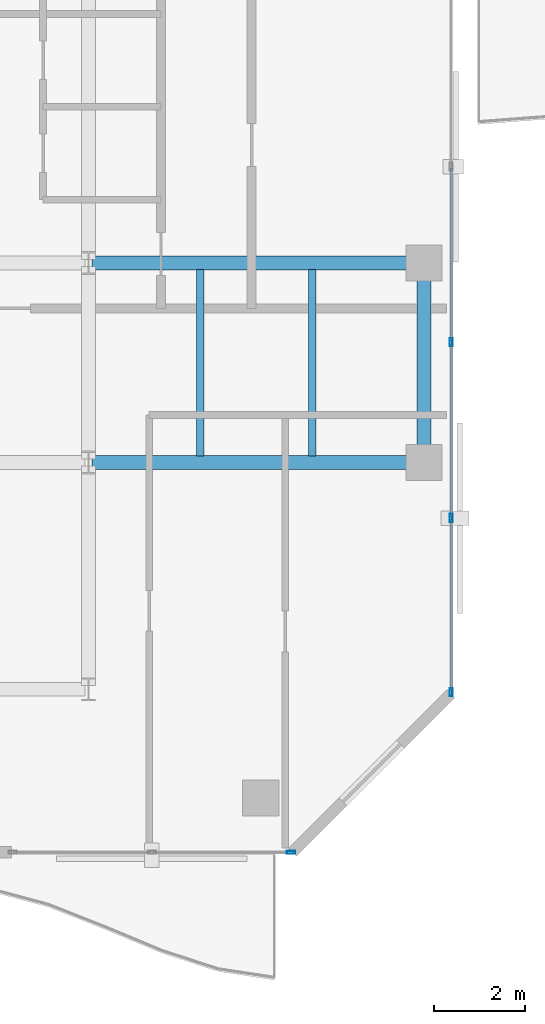
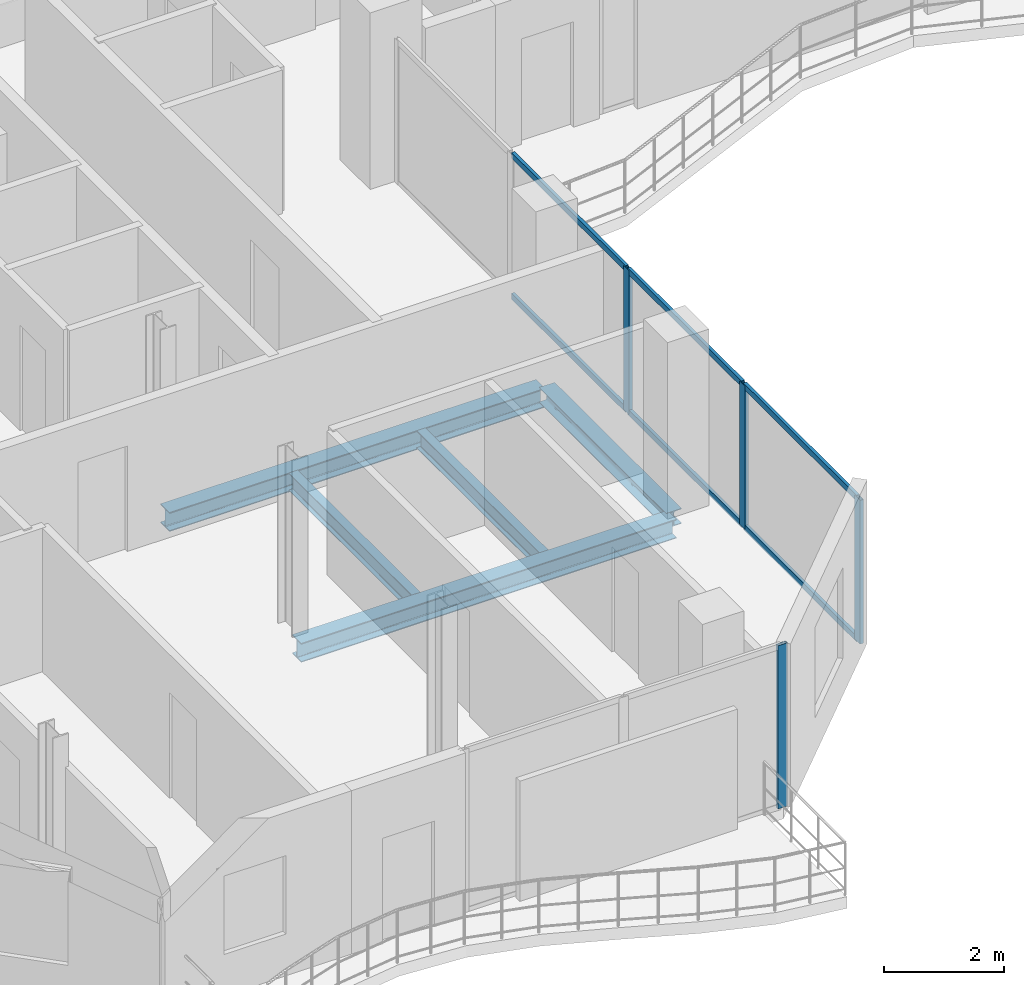
# One storey, part 6 of 24: 10 members, 5 beams, 2 elements without a shape of their own.
"""IFC4 building model written with IfcOpenShell, lengths in metres."""

from ifc_helpers import new_model, si_unit, direction, frame, origin, origin_2d, place, context, subcontext, project, spatial, hollow_rectangle, i_section, extrude, material, layer, layer_set, material_profile, profile_set, type_object, element, aggregate, save


model = new_model("IFC4")

# Units and contexts
model_context = context("Model", 3, precision=1e-05, world=origin(), true_north=direction((0.0, 1.0)))
body_context = subcontext(model_context, "Body", "Model", "MODEL_VIEW")
ifc_project = project(units=[si_unit("LENGTHUNIT", "METRE"), si_unit("AREAUNIT", "SQUARE_METRE"), si_unit("VOLUMEUNIT", "CUBIC_METRE"), si_unit("PLANEANGLEUNIT", "RADIAN"), si_unit("MASSUNIT", "GRAM", prefix="KILO")], contexts=[model_context])

# Site, building, storey
site_placement = place(None, origin())
site = spatial("IfcSite", under=ifc_project, at=site_placement, CompositionType="ELEMENT")
building_placement = place(site_placement, origin())
building = spatial("IfcBuilding", under=site, at=building_placement, Name="Catumbela Crestline Tower", CompositionType="ELEMENT")
storey_placement = place(building_placement, frame((0.0, 0.0, 161.4)))
storey = spatial("IfcBuildingStorey", under=building, at=storey_placement, Name="L41", CompositionType="ELEMENT", Elevation=161.4)

# Beams
ifc_material_1 = material(Name="Structural steel S355J2", Category="steel")
ifc_material_profile_1 = material_profile(ifc_material_1, i_section(OverallWidth=0.3, OverallDepth=0.39, WebThickness=0.011, FlangeThickness=0.019, FilletRadius=0.027, at=origin_2d()), Name="HEA 400")
ifc_profile_set_1 = profile_set([ifc_material_profile_1], Name="Structural steel S355J2")
beam_type_1 = type_object("IfcBeamType", Name="BG-HEA400", PredefinedType="BEAM", material=ifc_profile_set_1)
for number, where, z_axis, x_axis, name in (
    (1, (16.08, 13.6, -0.455), (1.0, 0.0, 0.0), (0.0, 1.0, 0.0), "L41 Beam BM-L41-WEW34"),
    (2, (16.08, 18.0, -0.455), (1.0, 0.0, 0.0), (0.0, 1.0, 0.0), "L41 Beam BM-L41-WEW36"),
):
    element("IfcBeam", number, at=place(storey_placement, frame(where, z_axis=z_axis, x_axis=x_axis)), inside=storey, type_object=beam_type_1, Name=name, PredefinedType="BEAM", context=body_context, shape_type="SweptSolid", body=[
        extrude(i_section(OverallWidth=0.3, OverallDepth=0.39, WebThickness=0.011, FlangeThickness=0.019, FilletRadius=0.027, at=origin_2d()), origin(), (0.0, 0.0, 1.0), 7.24),
    ])
ifc_material_profile_2 = material_profile(ifc_material_1, i_section(OverallWidth=0.17, OverallDepth=0.36, WebThickness=0.008, FlangeThickness=0.0127, FilletRadius=0.018, at=origin_2d()), Name="IPE 360")
ifc_profile_set_2 = profile_set([ifc_material_profile_2], Name="Structural steel S355J2")
beam_type_2 = type_object("IfcBeamType", Name="BJ-IPE360", PredefinedType="JOIST", material=ifc_profile_set_2)
for number, where, z_axis, x_axis, name in (
    (3, (18.467, 13.747, -0.44), (0.0, 1.0, 0.0), (-1.0, 0.0, 0.0), "L41 Joist JS-L41-WG48"),
    (4, (20.933, 13.747, -0.44), (0.0, 1.0, 0.0), (-1.0, 0.0, 0.0), "L41 Joist JS-L41-WG49"),
):
    element("IfcBeam", number, at=place(storey_placement, frame(where, z_axis=z_axis, x_axis=x_axis)), inside=storey, type_object=beam_type_2, Name=name, PredefinedType="JOIST", context=body_context, shape_type="SweptSolid", body=[
        extrude(i_section(OverallWidth=0.17, OverallDepth=0.36, WebThickness=0.008, FlangeThickness=0.0127, FilletRadius=0.018, at=origin_2d()), origin(), (0.0, 0.0, 1.0), 4.106),
    ])

# Curtain wall, member
ifc_material_2 = material(Name="Aluminium alloy AW-6060-T66", Category="aluminium")
ifc_layer = layer(ifc_material_2, 0.18, Name="Aluminium alloy AW-6060-T66")
ifc_layer_set = layer_set([ifc_layer], Name="Aluminium alloy AW-6060-T66")
curtain_wall_type = type_object("IfcCurtainWallType", Name="CWU-Z3", PredefinedType="USERDEFINED", material=ifc_layer_set)
curtain_wall_1_placement = place(storey_placement, origin())
curtain_wall_1 = element("IfcCurtainWall", 5, at=curtain_wall_1_placement, inside=storey, type_object=curtain_wall_type, Name="L41 Unitised Curtain Wall CW-L41-E0S2", ObjectType="UNITISED", PredefinedType="USERDEFINED")
ifc_material_profile_3 = material_profile(ifc_material_2, hollow_rectangle(XDim=0.065, YDim=0.18, WallThickness=0.004, at=origin_2d()), Name="ALU 180x65x4")
ifc_profile_set_3 = profile_set([ifc_material_profile_3], Name="Aluminium alloy AW-6060-T66")
member_type_1 = type_object("IfcMemberType", Name="MUL-180X65", PredefinedType="MULLION", material=ifc_profile_set_3)
member_1_placement = place(storey_placement, frame((20.4675, 5.0, 0.0), z_axis=(0.0, 0.0, 1.0), x_axis=(0.0, 1.0, 0.0)))
member_1 = element("IfcMember", 6, at=member_1_placement, type_object=member_type_1, Name="CWU-Z3 mullion 3", PredefinedType="MULLION", context=body_context, shape_type="SweptSolid", body=[
    extrude(hollow_rectangle(XDim=0.065, YDim=0.18, WallThickness=0.004, at=origin_2d()), origin(), (0.0, 0.0, 1.0), 3.33),
])
aggregate(curtain_wall_1, [member_1])

# Curtain wall, members
curtain_wall_2_placement = place(storey_placement, origin())
curtain_wall_2 = element("IfcCurtainWall", 7, at=curtain_wall_2_placement, inside=storey, type_object=curtain_wall_type, Name="L41 Unitised Curtain Wall CW-L41-E2S1", ObjectType="UNITISED", PredefinedType="USERDEFINED")
member_2_placement = place(storey_placement, frame((24.0, 8.5325, 0.0), z_axis=(0.0, 0.0, 1.0), x_axis=(-1.0, 0.0, 0.0)))
member_2 = element("IfcMember", 8, at=member_2_placement, type_object=member_type_1, Name="CWU-Z3 mullion 1", PredefinedType="MULLION", context=body_context, shape_type="SweptSolid", body=[
    extrude(hollow_rectangle(XDim=0.065, YDim=0.18, WallThickness=0.004, at=origin_2d()), origin(), (0.0, 0.0, 1.0), 2.93),
])
member_3_placement = place(storey_placement, frame((24.0, 12.375, 0.0), z_axis=(0.0, 0.0, 1.0), x_axis=(-1.0, 0.0, 0.0)))
member_3 = element("IfcMember", 9, at=member_3_placement, type_object=member_type_1, Name="CWU-Z3 mullion 2", PredefinedType="MULLION", context=body_context, shape_type="SweptSolid", body=[
    extrude(hollow_rectangle(XDim=0.065, YDim=0.18, WallThickness=0.004, at=origin_2d()), origin(), (0.0, 0.0, 1.0), 2.93),
])
member_4_placement = place(storey_placement, frame((24.0, 16.25, 0.0), z_axis=(0.0, 0.0, 1.0), x_axis=(-1.0, 0.0, 0.0)))
member_4 = element("IfcMember", 10, at=member_4_placement, type_object=member_type_1, Name="CWU-Z3 mullion 3", PredefinedType="MULLION", context=body_context, shape_type="SweptSolid", body=[
    extrude(hollow_rectangle(XDim=0.065, YDim=0.18, WallThickness=0.004, at=origin_2d()), origin(), (0.0, 0.0, 1.0), 2.93),
])

# Beam
ifc_material_profile_4 = material_profile(ifc_material_1, i_section(OverallWidth=0.3, OverallDepth=0.31, WebThickness=0.009, FlangeThickness=0.0155, FilletRadius=0.027, at=origin_2d()), Name="HEA 320")
ifc_profile_set_4 = profile_set([ifc_material_profile_4], Name="Structural steel S355J2")
beam_type_3 = type_object("IfcBeamType", Name="BS-HEA320", PredefinedType="SPANDREL", material=ifc_profile_set_4)
beam_placement = place(storey_placement, frame((23.4, 13.68, -0.415), z_axis=(0.0, 1.0, 0.0), x_axis=(-1.0, 0.0, 0.0)))
element("IfcBeam", 11, at=beam_placement, inside=storey, type_object=beam_type_3, Name="L41 Spandrel SP-L41-WNS43", PredefinedType="SPANDREL", context=body_context, shape_type="SweptSolid", body=[
    extrude(i_section(OverallWidth=0.3, OverallDepth=0.31, WebThickness=0.009, FlangeThickness=0.0155, FilletRadius=0.027, at=origin_2d()), origin(), (0.0, 0.0, 1.0), 4.24),
])

# Member
ifc_material_profile_5 = material_profile(ifc_material_2, hollow_rectangle(XDim=0.06, YDim=0.12, WallThickness=0.0035, at=origin_2d()), Name="ALU 120x60x3.5")
ifc_profile_set_5 = profile_set([ifc_material_profile_5], Name="Aluminium alloy AW-6060-T66")
member_type_2 = type_object("IfcMemberType", Name="TRN-120X60", PredefinedType="USERDEFINED", material=ifc_profile_set_5)
member_5_placement = place(storey_placement, frame((24.0, 8.565, 0.03), z_axis=(0.0, 1.0, 0.0), x_axis=(-1.0, 0.0, 0.0)))
member_5 = element("IfcMember", 12, at=member_5_placement, type_object=member_type_2, Name="CWU-Z3 transom 1.1", ObjectType="TRANSOM", PredefinedType="USERDEFINED", context=body_context, shape_type="SweptSolid", body=[
    extrude(hollow_rectangle(XDim=0.06, YDim=0.12, WallThickness=0.0035, at=origin_2d()), origin(), (0.0, 0.0, 1.0), 3.7775),
])

member_6_placement = place(storey_placement, frame((24.0, 8.565, 2.9), z_axis=(0.0, 1.0, 0.0), x_axis=(-1.0, 0.0, 0.0)))
member_6 = element("IfcMember", 13, at=member_6_placement, type_object=member_type_2, Name="CWU-Z3 transom 1.2", ObjectType="TRANSOM", PredefinedType="USERDEFINED", context=body_context, shape_type="SweptSolid", body=[
    extrude(hollow_rectangle(XDim=0.06, YDim=0.12, WallThickness=0.0035, at=origin_2d()), origin(), (0.0, 0.0, 1.0), 3.7775),
])

member_7_placement = place(storey_placement, frame((24.0, 12.4075, 0.03), z_axis=(0.0, 1.0, 0.0), x_axis=(-1.0, 0.0, 0.0)))
member_7 = element("IfcMember", 14, at=member_7_placement, type_object=member_type_2, Name="CWU-Z3 transom 2.1", ObjectType="TRANSOM", PredefinedType="USERDEFINED", context=body_context, shape_type="SweptSolid", body=[
    extrude(hollow_rectangle(XDim=0.06, YDim=0.12, WallThickness=0.0035, at=origin_2d()), origin(), (0.0, 0.0, 1.0), 3.81),
])

member_8_placement = place(storey_placement, frame((24.0, 12.4075, 2.9), z_axis=(0.0, 1.0, 0.0), x_axis=(-1.0, 0.0, 0.0)))
member_8 = element("IfcMember", 15, at=member_8_placement, type_object=member_type_2, Name="CWU-Z3 transom 2.2", ObjectType="TRANSOM", PredefinedType="USERDEFINED", context=body_context, shape_type="SweptSolid", body=[
    extrude(hollow_rectangle(XDim=0.06, YDim=0.12, WallThickness=0.0035, at=origin_2d()), origin(), (0.0, 0.0, 1.0), 3.81),
])

member_9_placement = place(storey_placement, frame((24.0, 16.2825, 0.03), z_axis=(0.0, 1.0, 0.0), x_axis=(-1.0, 0.0, 0.0)))
member_9 = element("IfcMember", 16, at=member_9_placement, type_object=member_type_2, Name="CWU-Z3 transom 3.1", ObjectType="TRANSOM", PredefinedType="USERDEFINED", context=body_context, shape_type="SweptSolid", body=[
    extrude(hollow_rectangle(XDim=0.06, YDim=0.12, WallThickness=0.0035, at=origin_2d()), origin(), (0.0, 0.0, 1.0), 3.81),
])

member_10_placement = place(storey_placement, frame((24.0, 16.2825, 2.9), z_axis=(0.0, 1.0, 0.0), x_axis=(-1.0, 0.0, 0.0)))
member_10 = element("IfcMember", 17, at=member_10_placement, type_object=member_type_2, Name="CWU-Z3 transom 3.2", ObjectType="TRANSOM", PredefinedType="USERDEFINED", context=body_context, shape_type="SweptSolid", body=[
    extrude(hollow_rectangle(XDim=0.06, YDim=0.12, WallThickness=0.0035, at=origin_2d()), origin(), (0.0, 0.0, 1.0), 3.81),
])

aggregate(curtain_wall_2, [member_2, member_3, member_4, member_5, member_6, member_7, member_8, member_9, member_10])

save(model, "model.ifc")
